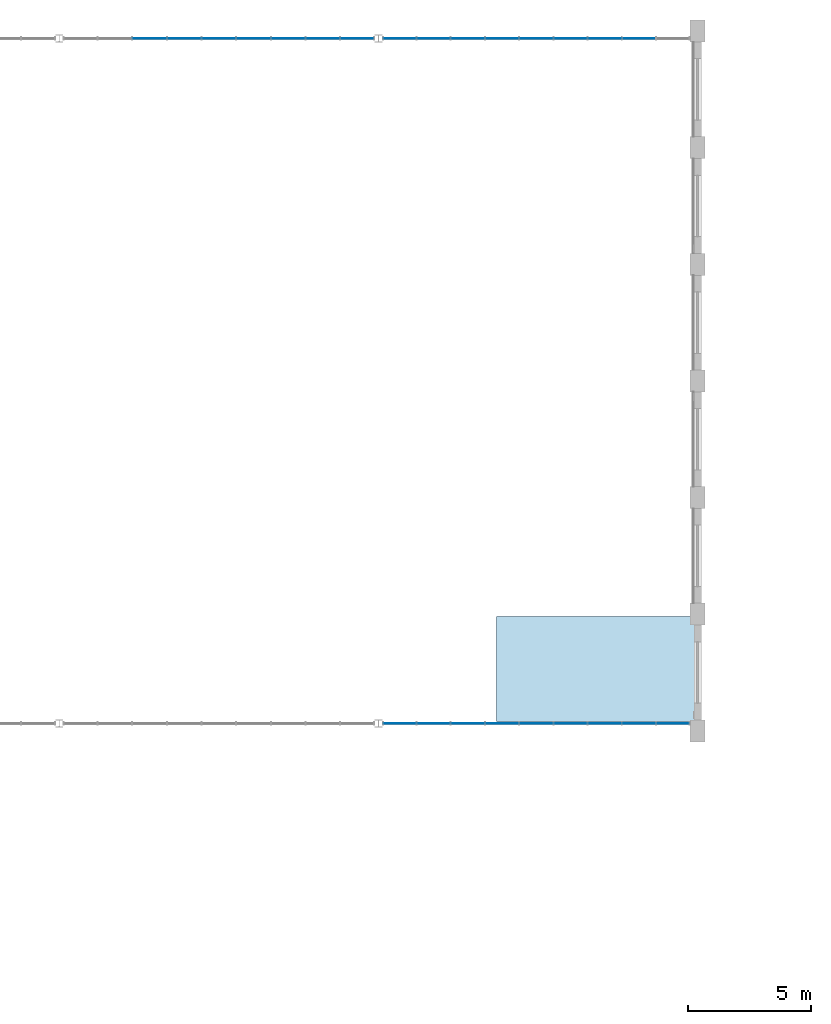
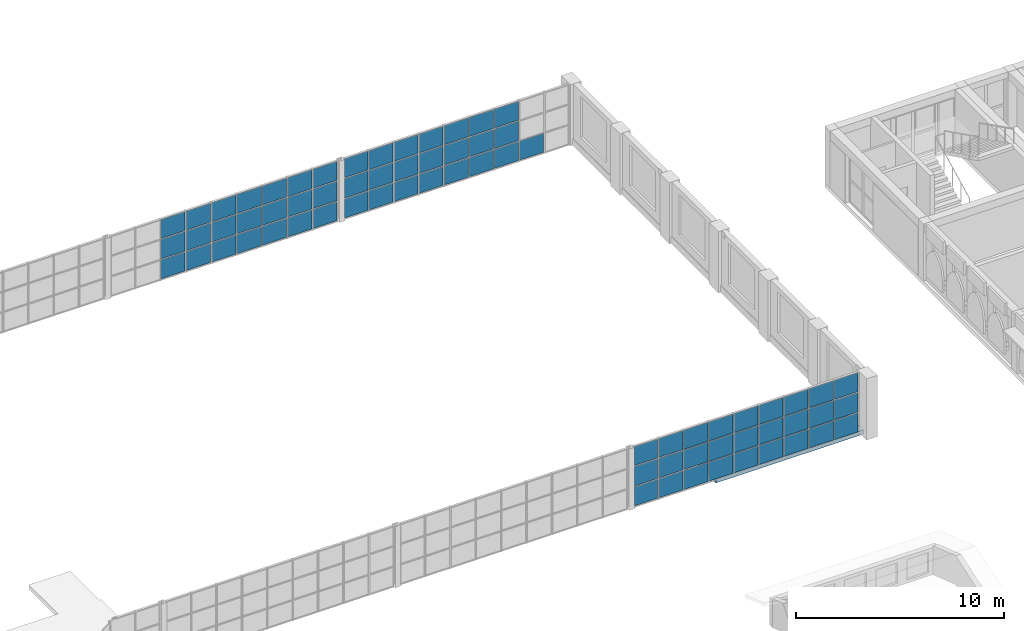
# One storey, part 29 of 70: 70 plates, 1 slab, 3 elements without a shape of their own.
"""IFC4 building model written with IfcOpenShell, lengths in metres."""

from ifc_helpers import new_model, si_unit, direction, frame, origin, origin_2d, place, context, subcontext, project, spatial, polyline, rectangle, outline, extrude, material, layer, layer_set, type_object, element, aggregate, save


model = new_model("IFC4")

# Units and contexts
model_context = context("Model", 3, precision=1e-05, world=origin(), true_north=direction((0.0, 1.0)))
body_context = subcontext(model_context, "Body", "Model", "MODEL_VIEW")
ifc_project = project(units=[si_unit("LENGTHUNIT", "METRE"), si_unit("AREAUNIT", "SQUARE_METRE"), si_unit("VOLUMEUNIT", "CUBIC_METRE"), si_unit("PLANEANGLEUNIT", "RADIAN"), si_unit("MASSUNIT", "GRAM", prefix="KILO")], contexts=[model_context])

# Site, building, storey
site_placement = place(None, origin())
site = spatial("IfcSite", under=ifc_project, at=site_placement, CompositionType="ELEMENT")
building_placement = place(site_placement, origin())
building = spatial("IfcBuilding", under=site, at=building_placement, Name="Elbe Cascade School", CompositionType="ELEMENT")
storey_placement = place(building_placement, frame((0.0, 0.0, 8.10009765625)))
storey = spatial("IfcBuildingStorey", under=building, at=storey_placement, Name="L02", CompositionType="ELEMENT", Elevation=8.10009765625)

# Slab
ifc_material_1 = material(Name="Concrete C30/37", Category="concrete")
ifc_layer_1 = layer(ifc_material_1, 0.25)
ifc_layer_set_1 = layer_set([ifc_layer_1], Name="Concrete C30/37")
slab_type = type_object("IfcSlabType", Name="Hall block roof slab Concrete C30/37", PredefinedType="ROOF", material=ifc_layer_set_1)
slab_placement = place(storey_placement, frame((0.0, 0.0, -0.25)))
element("IfcSlab", 1, at=slab_placement, inside=storey, type_object=slab_type, Name="Stair and lobby roof slab", PredefinedType="ROOF", context=body_context, shape_type="SweptSolid", body=[
    extrude(outline(polyline([(60.0, 41.375), (60.0, 45.64990234375), (51.800048828125, 45.64990234375), (51.800048828125, 41.375), (60.0, 41.375)])), origin(), (0.0, 0.0, 1.0), 0.25),
])

# Curtain wall, plates
ifc_material_2 = material(Name="Glass - double glazed low-E", Category="glass")
curtain_wall_type = type_object("IfcCurtainWallType", Name="Hall gable curtain wall", PredefinedType="NOTDEFINED", material=ifc_material_2)
curtain_wall_1_placement = place(storey_placement, origin())
curtain_wall_1 = element("IfcCurtainWall", 2, at=curtain_wall_1_placement, inside=storey, type_object=curtain_wall_type, Name="Gable curtain wall S4", PredefinedType="NOTDEFINED")
ifc_material_3 = material(Name="Glass - double glazed low-E", Category="glass")
ifc_layer_2 = layer(ifc_material_3, 0.028076171875)
ifc_layer_set_2 = layer_set([ifc_layer_2], Name="Glass - double glazed low-E")
plate_type = type_object("IfcPlateType", Name="Hall gable glass panel", PredefinedType="CURTAIN_PANEL", material=ifc_layer_set_2)
plate_1_placement = place(storey_placement, frame((47.8623046875, 41.300048828125, 0.06005859375), z_axis=(0.0, 0.0, 1.0), x_axis=(1.0, 0.0, 0.0)))
plate_1 = element("IfcPlate", 3, at=plate_1_placement, type_object=plate_type, Name="CW6 panel 1.1", PredefinedType="CURTAIN_PANEL", context=body_context, shape_type="SweptSolid", body=[
    extrude(rectangle(XDim=1.304443359375, YDim=0.028076171875, at=origin_2d()), origin(), (0.0, 0.0, 1.0), 1.110107421875),
])
plate_2_placement = place(storey_placement, frame((47.8623046875, 41.300048828125, 1.22998046875), z_axis=(0.0, 0.0, 1.0), x_axis=(1.0, 0.0, 0.0)))
plate_2 = element("IfcPlate", 4, at=plate_2_placement, type_object=plate_type, Name="CW6 panel 1.2", PredefinedType="CURTAIN_PANEL", context=body_context, shape_type="SweptSolid", body=[
    extrude(rectangle(XDim=1.304443359375, YDim=0.028076171875, at=origin_2d()), origin(), (0.0, 0.0, 1.0), 1.139892578125),
])
plate_3_placement = place(storey_placement, frame((47.8623046875, 41.300048828125, 2.4296875), z_axis=(0.0, 0.0, 1.0), x_axis=(1.0, 0.0, 0.0)))
plate_3 = element("IfcPlate", 5, at=plate_3_placement, type_object=plate_type, Name="CW6 panel 1.3", PredefinedType="CURTAIN_PANEL", context=body_context, shape_type="SweptSolid", body=[
    extrude(rectangle(XDim=1.304443359375, YDim=0.028076171875, at=origin_2d()), origin(), (0.0, 0.0, 1.0), 1.110107421875),
])
plate_4_placement = place(storey_placement, frame((49.24169921875, 41.300048828125, 0.06005859375), z_axis=(0.0, 0.0, 1.0), x_axis=(1.0, 0.0, 0.0)))
plate_4 = element("IfcPlate", 6, at=plate_4_placement, type_object=plate_type, Name="CW6 panel 2.1", PredefinedType="CURTAIN_PANEL", context=body_context, shape_type="SweptSolid", body=[
    extrude(rectangle(XDim=1.33447265625, YDim=0.028076171875, at=origin_2d()), origin(), (0.0, 0.0, 1.0), 1.110107421875),
])
plate_5_placement = place(storey_placement, frame((49.24169921875, 41.300048828125, 1.22998046875), z_axis=(0.0, 0.0, 1.0), x_axis=(1.0, 0.0, 0.0)))
plate_5 = element("IfcPlate", 7, at=plate_5_placement, type_object=plate_type, Name="CW6 panel 2.2", PredefinedType="CURTAIN_PANEL", context=body_context, shape_type="SweptSolid", body=[
    extrude(rectangle(XDim=1.33447265625, YDim=0.028076171875, at=origin_2d()), origin(), (0.0, 0.0, 1.0), 1.139892578125),
])
plate_6_placement = place(storey_placement, frame((49.24169921875, 41.300048828125, 2.4296875), z_axis=(0.0, 0.0, 1.0), x_axis=(1.0, 0.0, 0.0)))
plate_6 = element("IfcPlate", 8, at=plate_6_placement, type_object=plate_type, Name="CW6 panel 2.3", PredefinedType="CURTAIN_PANEL", context=body_context, shape_type="SweptSolid", body=[
    extrude(rectangle(XDim=1.33447265625, YDim=0.028076171875, at=origin_2d()), origin(), (0.0, 0.0, 1.0), 1.110107421875),
])
plate_7_placement = place(storey_placement, frame((50.63623046875, 41.300048828125, 0.06005859375), z_axis=(0.0, 0.0, 1.0), x_axis=(1.0, 0.0, 0.0)))
plate_7 = element("IfcPlate", 9, at=plate_7_placement, type_object=plate_type, Name="CW6 panel 3.1", PredefinedType="CURTAIN_PANEL", context=body_context, shape_type="SweptSolid", body=[
    extrude(rectangle(XDim=1.33447265625, YDim=0.028076171875, at=origin_2d()), origin(), (0.0, 0.0, 1.0), 1.110107421875),
])
plate_8_placement = place(storey_placement, frame((50.63623046875, 41.300048828125, 1.22998046875), z_axis=(0.0, 0.0, 1.0), x_axis=(1.0, 0.0, 0.0)))
plate_8 = element("IfcPlate", 10, at=plate_8_placement, type_object=plate_type, Name="CW6 panel 3.2", PredefinedType="CURTAIN_PANEL", context=body_context, shape_type="SweptSolid", body=[
    extrude(rectangle(XDim=1.33447265625, YDim=0.028076171875, at=origin_2d()), origin(), (0.0, 0.0, 1.0), 1.139892578125),
])
plate_9_placement = place(storey_placement, frame((50.63623046875, 41.300048828125, 2.4296875), z_axis=(0.0, 0.0, 1.0), x_axis=(1.0, 0.0, 0.0)))
plate_9 = element("IfcPlate", 11, at=plate_9_placement, type_object=plate_type, Name="CW6 panel 3.3", PredefinedType="CURTAIN_PANEL", context=body_context, shape_type="SweptSolid", body=[
    extrude(rectangle(XDim=1.33447265625, YDim=0.028076171875, at=origin_2d()), origin(), (0.0, 0.0, 1.0), 1.110107421875),
])
plate_10_placement = place(storey_placement, frame((52.030517578125, 41.300048828125, 0.06005859375), z_axis=(0.0, 0.0, 1.0), x_axis=(1.0, 0.0, 0.0)))
plate_10 = element("IfcPlate", 12, at=plate_10_placement, type_object=plate_type, Name="CW6 panel 4.1", PredefinedType="CURTAIN_PANEL", context=body_context, shape_type="SweptSolid", body=[
    extrude(rectangle(XDim=1.33447265625, YDim=0.028076171875, at=origin_2d()), origin(), (0.0, 0.0, 1.0), 1.110107421875),
])
plate_11_placement = place(storey_placement, frame((52.030517578125, 41.300048828125, 1.22998046875), z_axis=(0.0, 0.0, 1.0), x_axis=(1.0, 0.0, 0.0)))
plate_11 = element("IfcPlate", 13, at=plate_11_placement, type_object=plate_type, Name="CW6 panel 4.2", PredefinedType="CURTAIN_PANEL", context=body_context, shape_type="SweptSolid", body=[
    extrude(rectangle(XDim=1.33447265625, YDim=0.028076171875, at=origin_2d()), origin(), (0.0, 0.0, 1.0), 1.139892578125),
])
plate_12_placement = place(storey_placement, frame((52.030517578125, 41.300048828125, 2.4296875), z_axis=(0.0, 0.0, 1.0), x_axis=(1.0, 0.0, 0.0)))
plate_12 = element("IfcPlate", 14, at=plate_12_placement, type_object=plate_type, Name="CW6 panel 4.3", PredefinedType="CURTAIN_PANEL", context=body_context, shape_type="SweptSolid", body=[
    extrude(rectangle(XDim=1.33447265625, YDim=0.028076171875, at=origin_2d()), origin(), (0.0, 0.0, 1.0), 1.110107421875),
])
plate_13_placement = place(storey_placement, frame((53.425048828125, 41.300048828125, 0.06005859375), z_axis=(0.0, 0.0, 1.0), x_axis=(1.0, 0.0, 0.0)))
plate_13 = element("IfcPlate", 15, at=plate_13_placement, type_object=plate_type, Name="CW6 panel 5.1", PredefinedType="CURTAIN_PANEL", context=body_context, shape_type="SweptSolid", body=[
    extrude(rectangle(XDim=1.33447265625, YDim=0.028076171875, at=origin_2d()), origin(), (0.0, 0.0, 1.0), 1.110107421875),
])
plate_14_placement = place(storey_placement, frame((53.425048828125, 41.300048828125, 1.22998046875), z_axis=(0.0, 0.0, 1.0), x_axis=(1.0, 0.0, 0.0)))
plate_14 = element("IfcPlate", 16, at=plate_14_placement, type_object=plate_type, Name="CW6 panel 5.2", PredefinedType="CURTAIN_PANEL", context=body_context, shape_type="SweptSolid", body=[
    extrude(rectangle(XDim=1.33447265625, YDim=0.028076171875, at=origin_2d()), origin(), (0.0, 0.0, 1.0), 1.139892578125),
])
plate_15_placement = place(storey_placement, frame((53.425048828125, 41.300048828125, 2.4296875), z_axis=(0.0, 0.0, 1.0), x_axis=(1.0, 0.0, 0.0)))
plate_15 = element("IfcPlate", 17, at=plate_15_placement, type_object=plate_type, Name="CW6 panel 5.3", PredefinedType="CURTAIN_PANEL", context=body_context, shape_type="SweptSolid", body=[
    extrude(rectangle(XDim=1.33447265625, YDim=0.028076171875, at=origin_2d()), origin(), (0.0, 0.0, 1.0), 1.110107421875),
])
plate_16_placement = place(storey_placement, frame((54.8193359375, 41.300048828125, 0.06005859375), z_axis=(0.0, 0.0, 1.0), x_axis=(1.0, 0.0, 0.0)))
plate_16 = element("IfcPlate", 18, at=plate_16_placement, type_object=plate_type, Name="CW6 panel 6.1", PredefinedType="CURTAIN_PANEL", context=body_context, shape_type="SweptSolid", body=[
    extrude(rectangle(XDim=1.33447265625, YDim=0.028076171875, at=origin_2d()), origin(), (0.0, 0.0, 1.0), 1.110107421875),
])
plate_17_placement = place(storey_placement, frame((54.8193359375, 41.300048828125, 1.22998046875), z_axis=(0.0, 0.0, 1.0), x_axis=(1.0, 0.0, 0.0)))
plate_17 = element("IfcPlate", 19, at=plate_17_placement, type_object=plate_type, Name="CW6 panel 6.2", PredefinedType="CURTAIN_PANEL", context=body_context, shape_type="SweptSolid", body=[
    extrude(rectangle(XDim=1.33447265625, YDim=0.028076171875, at=origin_2d()), origin(), (0.0, 0.0, 1.0), 1.139892578125),
])
plate_18_placement = place(storey_placement, frame((54.8193359375, 41.300048828125, 2.4296875), z_axis=(0.0, 0.0, 1.0), x_axis=(1.0, 0.0, 0.0)))
plate_18 = element("IfcPlate", 20, at=plate_18_placement, type_object=plate_type, Name="CW6 panel 6.3", PredefinedType="CURTAIN_PANEL", context=body_context, shape_type="SweptSolid", body=[
    extrude(rectangle(XDim=1.33447265625, YDim=0.028076171875, at=origin_2d()), origin(), (0.0, 0.0, 1.0), 1.110107421875),
])
plate_19_placement = place(storey_placement, frame((56.2138671875, 41.300048828125, 0.06005859375), z_axis=(0.0, 0.0, 1.0), x_axis=(1.0, 0.0, 0.0)))
plate_19 = element("IfcPlate", 21, at=plate_19_placement, type_object=plate_type, Name="CW6 panel 7.1", PredefinedType="CURTAIN_PANEL", context=body_context, shape_type="SweptSolid", body=[
    extrude(rectangle(XDim=1.33447265625, YDim=0.028076171875, at=origin_2d()), origin(), (0.0, 0.0, 1.0), 1.110107421875),
])
plate_20_placement = place(storey_placement, frame((56.2138671875, 41.300048828125, 1.22998046875), z_axis=(0.0, 0.0, 1.0), x_axis=(1.0, 0.0, 0.0)))
plate_20 = element("IfcPlate", 22, at=plate_20_placement, type_object=plate_type, Name="CW6 panel 7.2", PredefinedType="CURTAIN_PANEL", context=body_context, shape_type="SweptSolid", body=[
    extrude(rectangle(XDim=1.33447265625, YDim=0.028076171875, at=origin_2d()), origin(), (0.0, 0.0, 1.0), 1.139892578125),
])
plate_21_placement = place(storey_placement, frame((56.2138671875, 41.300048828125, 2.4296875), z_axis=(0.0, 0.0, 1.0), x_axis=(1.0, 0.0, 0.0)))
plate_21 = element("IfcPlate", 23, at=plate_21_placement, type_object=plate_type, Name="CW6 panel 7.3", PredefinedType="CURTAIN_PANEL", context=body_context, shape_type="SweptSolid", body=[
    extrude(rectangle(XDim=1.33447265625, YDim=0.028076171875, at=origin_2d()), origin(), (0.0, 0.0, 1.0), 1.110107421875),
])
plate_22_placement = place(storey_placement, frame((57.6083984375, 41.300048828125, 0.06005859375), z_axis=(0.0, 0.0, 1.0), x_axis=(1.0, 0.0, 0.0)))
plate_22 = element("IfcPlate", 24, at=plate_22_placement, type_object=plate_type, Name="CW6 panel 8.1", PredefinedType="CURTAIN_PANEL", context=body_context, shape_type="SweptSolid", body=[
    extrude(rectangle(XDim=1.33447265625, YDim=0.028076171875, at=origin_2d()), origin(), (0.0, 0.0, 1.0), 1.110107421875),
])
plate_23_placement = place(storey_placement, frame((57.6083984375, 41.300048828125, 1.22998046875), z_axis=(0.0, 0.0, 1.0), x_axis=(1.0, 0.0, 0.0)))
plate_23 = element("IfcPlate", 25, at=plate_23_placement, type_object=plate_type, Name="CW6 panel 8.2", PredefinedType="CURTAIN_PANEL", context=body_context, shape_type="SweptSolid", body=[
    extrude(rectangle(XDim=1.33447265625, YDim=0.028076171875, at=origin_2d()), origin(), (0.0, 0.0, 1.0), 1.139892578125),
])
plate_24_placement = place(storey_placement, frame((57.6083984375, 41.300048828125, 2.4296875), z_axis=(0.0, 0.0, 1.0), x_axis=(1.0, 0.0, 0.0)))
plate_24 = element("IfcPlate", 26, at=plate_24_placement, type_object=plate_type, Name="CW6 panel 8.3", PredefinedType="CURTAIN_PANEL", context=body_context, shape_type="SweptSolid", body=[
    extrude(rectangle(XDim=1.33447265625, YDim=0.028076171875, at=origin_2d()), origin(), (0.0, 0.0, 1.0), 1.110107421875),
])
plate_25_placement = place(storey_placement, frame((58.98779296875, 41.300048828125, 0.06005859375), z_axis=(0.0, 0.0, 1.0), x_axis=(1.0, 0.0, 0.0)))
plate_25 = element("IfcPlate", 27, at=plate_25_placement, type_object=plate_type, Name="CW6 panel 9.1", PredefinedType="CURTAIN_PANEL", context=body_context, shape_type="SweptSolid", body=[
    extrude(rectangle(XDim=1.304443359375, YDim=0.028076171875, at=origin_2d()), origin(), (0.0, 0.0, 1.0), 1.110107421875),
])
plate_26_placement = place(storey_placement, frame((58.98779296875, 41.300048828125, 1.22998046875), z_axis=(0.0, 0.0, 1.0), x_axis=(1.0, 0.0, 0.0)))
plate_26 = element("IfcPlate", 28, at=plate_26_placement, type_object=plate_type, Name="CW6 panel 9.2", PredefinedType="CURTAIN_PANEL", context=body_context, shape_type="SweptSolid", body=[
    extrude(rectangle(XDim=1.304443359375, YDim=0.028076171875, at=origin_2d()), origin(), (0.0, 0.0, 1.0), 1.139892578125),
])
plate_27_placement = place(storey_placement, frame((58.98779296875, 41.300048828125, 2.4296875), z_axis=(0.0, 0.0, 1.0), x_axis=(1.0, 0.0, 0.0)))
plate_27 = element("IfcPlate", 29, at=plate_27_placement, type_object=plate_type, Name="CW6 panel 9.3", PredefinedType="CURTAIN_PANEL", context=body_context, shape_type="SweptSolid", body=[
    extrude(rectangle(XDim=1.304443359375, YDim=0.028076171875, at=origin_2d()), origin(), (0.0, 0.0, 1.0), 1.110107421875),
])
aggregate(curtain_wall_1, [plate_1, plate_2, plate_3, plate_4, plate_5, plate_6, plate_7, plate_8, plate_9, plate_10, plate_11, plate_12, plate_13, plate_14, plate_15, plate_16, plate_17, plate_18, plate_19, plate_20, plate_21, plate_22, plate_23, plate_24, plate_25, plate_26, plate_27])

curtain_wall_2_placement = place(storey_placement, origin())
curtain_wall_2 = element("IfcCurtainWall", 30, at=curtain_wall_2_placement, inside=storey, type_object=curtain_wall_type, Name="Gable curtain wall N3", PredefinedType="NOTDEFINED")
plate_28_placement = place(storey_placement, frame((37.677734375, 69.199951171875, 0.06005859375), z_axis=(0.0, 0.0, 1.0), x_axis=(1.0, 0.0, 0.0)))
plate_28 = element("IfcPlate", 31, at=plate_28_placement, type_object=plate_type, Name="CW6 panel 3.1", PredefinedType="CURTAIN_PANEL", context=body_context, shape_type="SweptSolid", body=[
    extrude(rectangle(XDim=1.35107421875, YDim=0.028076171875, at=origin_2d()), origin(), (0.0, 0.0, 1.0), 1.110107421875),
])
plate_29_placement = place(storey_placement, frame((37.677734375, 69.199951171875, 1.22998046875), z_axis=(0.0, 0.0, 1.0), x_axis=(1.0, 0.0, 0.0)))
plate_29 = element("IfcPlate", 32, at=plate_29_placement, type_object=plate_type, Name="CW6 panel 3.2", PredefinedType="CURTAIN_PANEL", context=body_context, shape_type="SweptSolid", body=[
    extrude(rectangle(XDim=1.35107421875, YDim=0.028076171875, at=origin_2d()), origin(), (0.0, 0.0, 1.0), 1.139892578125),
])
plate_30_placement = place(storey_placement, frame((37.677734375, 69.199951171875, 2.4296875), z_axis=(0.0, 0.0, 1.0), x_axis=(1.0, 0.0, 0.0)))
plate_30 = element("IfcPlate", 33, at=plate_30_placement, type_object=plate_type, Name="CW6 panel 3.3", PredefinedType="CURTAIN_PANEL", context=body_context, shape_type="SweptSolid", body=[
    extrude(rectangle(XDim=1.35107421875, YDim=0.028076171875, at=origin_2d()), origin(), (0.0, 0.0, 1.0), 1.110107421875),
])
plate_31_placement = place(storey_placement, frame((39.0888671875, 69.199951171875, 0.06005859375), z_axis=(0.0, 0.0, 1.0), x_axis=(1.0, 0.0, 0.0)))
plate_31 = element("IfcPlate", 34, at=plate_31_placement, type_object=plate_type, Name="CW6 panel 4.1", PredefinedType="CURTAIN_PANEL", context=body_context, shape_type="SweptSolid", body=[
    extrude(rectangle(XDim=1.35107421875, YDim=0.028076171875, at=origin_2d()), origin(), (0.0, 0.0, 1.0), 1.110107421875),
])
plate_32_placement = place(storey_placement, frame((39.0888671875, 69.199951171875, 1.22998046875), z_axis=(0.0, 0.0, 1.0), x_axis=(1.0, 0.0, 0.0)))
plate_32 = element("IfcPlate", 35, at=plate_32_placement, type_object=plate_type, Name="CW6 panel 4.2", PredefinedType="CURTAIN_PANEL", context=body_context, shape_type="SweptSolid", body=[
    extrude(rectangle(XDim=1.35107421875, YDim=0.028076171875, at=origin_2d()), origin(), (0.0, 0.0, 1.0), 1.139892578125),
])
plate_33_placement = place(storey_placement, frame((39.0888671875, 69.199951171875, 2.4296875), z_axis=(0.0, 0.0, 1.0), x_axis=(1.0, 0.0, 0.0)))
plate_33 = element("IfcPlate", 36, at=plate_33_placement, type_object=plate_type, Name="CW6 panel 4.3", PredefinedType="CURTAIN_PANEL", context=body_context, shape_type="SweptSolid", body=[
    extrude(rectangle(XDim=1.35107421875, YDim=0.028076171875, at=origin_2d()), origin(), (0.0, 0.0, 1.0), 1.110107421875),
])
plate_34_placement = place(storey_placement, frame((40.5, 69.199951171875, 0.06005859375), z_axis=(0.0, 0.0, 1.0), x_axis=(1.0, 0.0, 0.0)))
plate_34 = element("IfcPlate", 37, at=plate_34_placement, type_object=plate_type, Name="CW6 panel 5.1", PredefinedType="CURTAIN_PANEL", context=body_context, shape_type="SweptSolid", body=[
    extrude(rectangle(XDim=1.35107421875, YDim=0.028076171875, at=origin_2d()), origin(), (0.0, 0.0, 1.0), 1.110107421875),
])
plate_35_placement = place(storey_placement, frame((40.5, 69.199951171875, 1.22998046875), z_axis=(0.0, 0.0, 1.0), x_axis=(1.0, 0.0, 0.0)))
plate_35 = element("IfcPlate", 38, at=plate_35_placement, type_object=plate_type, Name="CW6 panel 5.2", PredefinedType="CURTAIN_PANEL", context=body_context, shape_type="SweptSolid", body=[
    extrude(rectangle(XDim=1.35107421875, YDim=0.028076171875, at=origin_2d()), origin(), (0.0, 0.0, 1.0), 1.139892578125),
])
plate_36_placement = place(storey_placement, frame((40.5, 69.199951171875, 2.4296875), z_axis=(0.0, 0.0, 1.0), x_axis=(1.0, 0.0, 0.0)))
plate_36 = element("IfcPlate", 39, at=plate_36_placement, type_object=plate_type, Name="CW6 panel 5.3", PredefinedType="CURTAIN_PANEL", context=body_context, shape_type="SweptSolid", body=[
    extrude(rectangle(XDim=1.35107421875, YDim=0.028076171875, at=origin_2d()), origin(), (0.0, 0.0, 1.0), 1.110107421875),
])
plate_37_placement = place(storey_placement, frame((41.9111328125, 69.199951171875, 0.06005859375), z_axis=(0.0, 0.0, 1.0), x_axis=(1.0, 0.0, 0.0)))
plate_37 = element("IfcPlate", 40, at=plate_37_placement, type_object=plate_type, Name="CW6 panel 6.1", PredefinedType="CURTAIN_PANEL", context=body_context, shape_type="SweptSolid", body=[
    extrude(rectangle(XDim=1.35107421875, YDim=0.028076171875, at=origin_2d()), origin(), (0.0, 0.0, 1.0), 1.110107421875),
])
plate_38_placement = place(storey_placement, frame((41.9111328125, 69.199951171875, 1.22998046875), z_axis=(0.0, 0.0, 1.0), x_axis=(1.0, 0.0, 0.0)))
plate_38 = element("IfcPlate", 41, at=plate_38_placement, type_object=plate_type, Name="CW6 panel 6.2", PredefinedType="CURTAIN_PANEL", context=body_context, shape_type="SweptSolid", body=[
    extrude(rectangle(XDim=1.35107421875, YDim=0.028076171875, at=origin_2d()), origin(), (0.0, 0.0, 1.0), 1.139892578125),
])
plate_39_placement = place(storey_placement, frame((41.9111328125, 69.199951171875, 2.4296875), z_axis=(0.0, 0.0, 1.0), x_axis=(1.0, 0.0, 0.0)))
plate_39 = element("IfcPlate", 42, at=plate_39_placement, type_object=plate_type, Name="CW6 panel 6.3", PredefinedType="CURTAIN_PANEL", context=body_context, shape_type="SweptSolid", body=[
    extrude(rectangle(XDim=1.35107421875, YDim=0.028076171875, at=origin_2d()), origin(), (0.0, 0.0, 1.0), 1.110107421875),
])
plate_40_placement = place(storey_placement, frame((43.322265625, 69.199951171875, 0.06005859375), z_axis=(0.0, 0.0, 1.0), x_axis=(1.0, 0.0, 0.0)))
plate_40 = element("IfcPlate", 43, at=plate_40_placement, type_object=plate_type, Name="CW6 panel 7.1", PredefinedType="CURTAIN_PANEL", context=body_context, shape_type="SweptSolid", body=[
    extrude(rectangle(XDim=1.35107421875, YDim=0.028076171875, at=origin_2d()), origin(), (0.0, 0.0, 1.0), 1.110107421875),
])
plate_41_placement = place(storey_placement, frame((43.322265625, 69.199951171875, 1.22998046875), z_axis=(0.0, 0.0, 1.0), x_axis=(1.0, 0.0, 0.0)))
plate_41 = element("IfcPlate", 44, at=plate_41_placement, type_object=plate_type, Name="CW6 panel 7.2", PredefinedType="CURTAIN_PANEL", context=body_context, shape_type="SweptSolid", body=[
    extrude(rectangle(XDim=1.35107421875, YDim=0.028076171875, at=origin_2d()), origin(), (0.0, 0.0, 1.0), 1.139892578125),
])
plate_42_placement = place(storey_placement, frame((43.322265625, 69.199951171875, 2.4296875), z_axis=(0.0, 0.0, 1.0), x_axis=(1.0, 0.0, 0.0)))
plate_42 = element("IfcPlate", 45, at=plate_42_placement, type_object=plate_type, Name="CW6 panel 7.3", PredefinedType="CURTAIN_PANEL", context=body_context, shape_type="SweptSolid", body=[
    extrude(rectangle(XDim=1.35107421875, YDim=0.028076171875, at=origin_2d()), origin(), (0.0, 0.0, 1.0), 1.110107421875),
])
plate_43_placement = place(storey_placement, frame((44.7333984375, 69.199951171875, 0.06005859375), z_axis=(0.0, 0.0, 1.0), x_axis=(1.0, 0.0, 0.0)))
plate_43 = element("IfcPlate", 46, at=plate_43_placement, type_object=plate_type, Name="CW6 panel 8.1", PredefinedType="CURTAIN_PANEL", context=body_context, shape_type="SweptSolid", body=[
    extrude(rectangle(XDim=1.35107421875, YDim=0.028076171875, at=origin_2d()), origin(), (0.0, 0.0, 1.0), 1.110107421875),
])
plate_44_placement = place(storey_placement, frame((44.7333984375, 69.199951171875, 1.22998046875), z_axis=(0.0, 0.0, 1.0), x_axis=(1.0, 0.0, 0.0)))
plate_44 = element("IfcPlate", 47, at=plate_44_placement, type_object=plate_type, Name="CW6 panel 8.2", PredefinedType="CURTAIN_PANEL", context=body_context, shape_type="SweptSolid", body=[
    extrude(rectangle(XDim=1.35107421875, YDim=0.028076171875, at=origin_2d()), origin(), (0.0, 0.0, 1.0), 1.139892578125),
])
plate_45_placement = place(storey_placement, frame((44.7333984375, 69.199951171875, 2.4296875), z_axis=(0.0, 0.0, 1.0), x_axis=(1.0, 0.0, 0.0)))
plate_45 = element("IfcPlate", 48, at=plate_45_placement, type_object=plate_type, Name="CW6 panel 8.3", PredefinedType="CURTAIN_PANEL", context=body_context, shape_type="SweptSolid", body=[
    extrude(rectangle(XDim=1.35107421875, YDim=0.028076171875, at=origin_2d()), origin(), (0.0, 0.0, 1.0), 1.110107421875),
])
plate_46_placement = place(storey_placement, frame((46.12939453125, 69.199951171875, 0.06005859375), z_axis=(0.0, 0.0, 1.0), x_axis=(1.0, 0.0, 0.0)))
plate_46 = element("IfcPlate", 49, at=plate_46_placement, type_object=plate_type, Name="CW6 panel 9.1", PredefinedType="CURTAIN_PANEL", context=body_context, shape_type="SweptSolid", body=[
    extrude(rectangle(XDim=1.321044921875, YDim=0.028076171875, at=origin_2d()), origin(), (0.0, 0.0, 1.0), 1.110107421875),
])
plate_47_placement = place(storey_placement, frame((46.12939453125, 69.199951171875, 1.22998046875), z_axis=(0.0, 0.0, 1.0), x_axis=(1.0, 0.0, 0.0)))
plate_47 = element("IfcPlate", 50, at=plate_47_placement, type_object=plate_type, Name="CW6 panel 9.2", PredefinedType="CURTAIN_PANEL", context=body_context, shape_type="SweptSolid", body=[
    extrude(rectangle(XDim=1.321044921875, YDim=0.028076171875, at=origin_2d()), origin(), (0.0, 0.0, 1.0), 1.139892578125),
])
plate_48_placement = place(storey_placement, frame((46.12939453125, 69.199951171875, 2.4296875), z_axis=(0.0, 0.0, 1.0), x_axis=(1.0, 0.0, 0.0)))
plate_48 = element("IfcPlate", 51, at=plate_48_placement, type_object=plate_type, Name="CW6 panel 9.3", PredefinedType="CURTAIN_PANEL", context=body_context, shape_type="SweptSolid", body=[
    extrude(rectangle(XDim=1.321044921875, YDim=0.028076171875, at=origin_2d()), origin(), (0.0, 0.0, 1.0), 1.110107421875),
])
aggregate(curtain_wall_2, [plate_28, plate_29, plate_30, plate_31, plate_32, plate_33, plate_34, plate_35, plate_36, plate_37, plate_38, plate_39, plate_40, plate_41, plate_42, plate_43, plate_44, plate_45, plate_46, plate_47, plate_48])

curtain_wall_3_placement = place(storey_placement, origin())
curtain_wall_3 = element("IfcCurtainWall", 52, at=curtain_wall_3_placement, inside=storey, type_object=curtain_wall_type, Name="Gable curtain wall N4", PredefinedType="NOTDEFINED")
plate_49_placement = place(storey_placement, frame((47.8623046875, 69.199951171875, 0.06005859375), z_axis=(0.0, 0.0, 1.0), x_axis=(1.0, 0.0, 0.0)))
plate_49 = element("IfcPlate", 53, at=plate_49_placement, type_object=plate_type, Name="CW6 panel 1.1", PredefinedType="CURTAIN_PANEL", context=body_context, shape_type="SweptSolid", body=[
    extrude(rectangle(XDim=1.304443359375, YDim=0.028076171875, at=origin_2d()), origin(), (0.0, 0.0, 1.0), 1.110107421875),
])
plate_50_placement = place(storey_placement, frame((47.8623046875, 69.199951171875, 1.22998046875), z_axis=(0.0, 0.0, 1.0), x_axis=(1.0, 0.0, 0.0)))
plate_50 = element("IfcPlate", 54, at=plate_50_placement, type_object=plate_type, Name="CW6 panel 1.2", PredefinedType="CURTAIN_PANEL", context=body_context, shape_type="SweptSolid", body=[
    extrude(rectangle(XDim=1.304443359375, YDim=0.028076171875, at=origin_2d()), origin(), (0.0, 0.0, 1.0), 1.139892578125),
])
plate_51_placement = place(storey_placement, frame((47.8623046875, 69.199951171875, 2.4296875), z_axis=(0.0, 0.0, 1.0), x_axis=(1.0, 0.0, 0.0)))
plate_51 = element("IfcPlate", 55, at=plate_51_placement, type_object=plate_type, Name="CW6 panel 1.3", PredefinedType="CURTAIN_PANEL", context=body_context, shape_type="SweptSolid", body=[
    extrude(rectangle(XDim=1.304443359375, YDim=0.028076171875, at=origin_2d()), origin(), (0.0, 0.0, 1.0), 1.110107421875),
])
plate_52_placement = place(storey_placement, frame((49.24169921875, 69.199951171875, 0.06005859375), z_axis=(0.0, 0.0, 1.0), x_axis=(1.0, 0.0, 0.0)))
plate_52 = element("IfcPlate", 56, at=plate_52_placement, type_object=plate_type, Name="CW6 panel 2.1", PredefinedType="CURTAIN_PANEL", context=body_context, shape_type="SweptSolid", body=[
    extrude(rectangle(XDim=1.33447265625, YDim=0.028076171875, at=origin_2d()), origin(), (0.0, 0.0, 1.0), 1.110107421875),
])
plate_53_placement = place(storey_placement, frame((49.24169921875, 69.199951171875, 1.22998046875), z_axis=(0.0, 0.0, 1.0), x_axis=(1.0, 0.0, 0.0)))
plate_53 = element("IfcPlate", 57, at=plate_53_placement, type_object=plate_type, Name="CW6 panel 2.2", PredefinedType="CURTAIN_PANEL", context=body_context, shape_type="SweptSolid", body=[
    extrude(rectangle(XDim=1.33447265625, YDim=0.028076171875, at=origin_2d()), origin(), (0.0, 0.0, 1.0), 1.139892578125),
])
plate_54_placement = place(storey_placement, frame((49.24169921875, 69.199951171875, 2.4296875), z_axis=(0.0, 0.0, 1.0), x_axis=(1.0, 0.0, 0.0)))
plate_54 = element("IfcPlate", 58, at=plate_54_placement, type_object=plate_type, Name="CW6 panel 2.3", PredefinedType="CURTAIN_PANEL", context=body_context, shape_type="SweptSolid", body=[
    extrude(rectangle(XDim=1.33447265625, YDim=0.028076171875, at=origin_2d()), origin(), (0.0, 0.0, 1.0), 1.110107421875),
])
plate_55_placement = place(storey_placement, frame((50.63623046875, 69.199951171875, 0.06005859375), z_axis=(0.0, 0.0, 1.0), x_axis=(1.0, 0.0, 0.0)))
plate_55 = element("IfcPlate", 59, at=plate_55_placement, type_object=plate_type, Name="CW6 panel 3.1", PredefinedType="CURTAIN_PANEL", context=body_context, shape_type="SweptSolid", body=[
    extrude(rectangle(XDim=1.33447265625, YDim=0.028076171875, at=origin_2d()), origin(), (0.0, 0.0, 1.0), 1.110107421875),
])
plate_56_placement = place(storey_placement, frame((50.63623046875, 69.199951171875, 1.22998046875), z_axis=(0.0, 0.0, 1.0), x_axis=(1.0, 0.0, 0.0)))
plate_56 = element("IfcPlate", 60, at=plate_56_placement, type_object=plate_type, Name="CW6 panel 3.2", PredefinedType="CURTAIN_PANEL", context=body_context, shape_type="SweptSolid", body=[
    extrude(rectangle(XDim=1.33447265625, YDim=0.028076171875, at=origin_2d()), origin(), (0.0, 0.0, 1.0), 1.139892578125),
])
plate_57_placement = place(storey_placement, frame((50.63623046875, 69.199951171875, 2.4296875), z_axis=(0.0, 0.0, 1.0), x_axis=(1.0, 0.0, 0.0)))
plate_57 = element("IfcPlate", 61, at=plate_57_placement, type_object=plate_type, Name="CW6 panel 3.3", PredefinedType="CURTAIN_PANEL", context=body_context, shape_type="SweptSolid", body=[
    extrude(rectangle(XDim=1.33447265625, YDim=0.028076171875, at=origin_2d()), origin(), (0.0, 0.0, 1.0), 1.110107421875),
])
plate_58_placement = place(storey_placement, frame((52.030517578125, 69.199951171875, 0.06005859375), z_axis=(0.0, 0.0, 1.0), x_axis=(1.0, 0.0, 0.0)))
plate_58 = element("IfcPlate", 62, at=plate_58_placement, type_object=plate_type, Name="CW6 panel 4.1", PredefinedType="CURTAIN_PANEL", context=body_context, shape_type="SweptSolid", body=[
    extrude(rectangle(XDim=1.33447265625, YDim=0.028076171875, at=origin_2d()), origin(), (0.0, 0.0, 1.0), 1.110107421875),
])
plate_59_placement = place(storey_placement, frame((52.030517578125, 69.199951171875, 1.22998046875), z_axis=(0.0, 0.0, 1.0), x_axis=(1.0, 0.0, 0.0)))
plate_59 = element("IfcPlate", 63, at=plate_59_placement, type_object=plate_type, Name="CW6 panel 4.2", PredefinedType="CURTAIN_PANEL", context=body_context, shape_type="SweptSolid", body=[
    extrude(rectangle(XDim=1.33447265625, YDim=0.028076171875, at=origin_2d()), origin(), (0.0, 0.0, 1.0), 1.139892578125),
])
plate_60_placement = place(storey_placement, frame((52.030517578125, 69.199951171875, 2.4296875), z_axis=(0.0, 0.0, 1.0), x_axis=(1.0, 0.0, 0.0)))
plate_60 = element("IfcPlate", 64, at=plate_60_placement, type_object=plate_type, Name="CW6 panel 4.3", PredefinedType="CURTAIN_PANEL", context=body_context, shape_type="SweptSolid", body=[
    extrude(rectangle(XDim=1.33447265625, YDim=0.028076171875, at=origin_2d()), origin(), (0.0, 0.0, 1.0), 1.110107421875),
])
plate_61_placement = place(storey_placement, frame((53.425048828125, 69.199951171875, 0.06005859375), z_axis=(0.0, 0.0, 1.0), x_axis=(1.0, 0.0, 0.0)))
plate_61 = element("IfcPlate", 65, at=plate_61_placement, type_object=plate_type, Name="CW6 panel 5.1", PredefinedType="CURTAIN_PANEL", context=body_context, shape_type="SweptSolid", body=[
    extrude(rectangle(XDim=1.33447265625, YDim=0.028076171875, at=origin_2d()), origin(), (0.0, 0.0, 1.0), 1.110107421875),
])
plate_62_placement = place(storey_placement, frame((53.425048828125, 69.199951171875, 1.22998046875), z_axis=(0.0, 0.0, 1.0), x_axis=(1.0, 0.0, 0.0)))
plate_62 = element("IfcPlate", 66, at=plate_62_placement, type_object=plate_type, Name="CW6 panel 5.2", PredefinedType="CURTAIN_PANEL", context=body_context, shape_type="SweptSolid", body=[
    extrude(rectangle(XDim=1.33447265625, YDim=0.028076171875, at=origin_2d()), origin(), (0.0, 0.0, 1.0), 1.139892578125),
])
plate_63_placement = place(storey_placement, frame((53.425048828125, 69.199951171875, 2.4296875), z_axis=(0.0, 0.0, 1.0), x_axis=(1.0, 0.0, 0.0)))
plate_63 = element("IfcPlate", 67, at=plate_63_placement, type_object=plate_type, Name="CW6 panel 5.3", PredefinedType="CURTAIN_PANEL", context=body_context, shape_type="SweptSolid", body=[
    extrude(rectangle(XDim=1.33447265625, YDim=0.028076171875, at=origin_2d()), origin(), (0.0, 0.0, 1.0), 1.110107421875),
])
plate_64_placement = place(storey_placement, frame((54.8193359375, 69.199951171875, 0.06005859375), z_axis=(0.0, 0.0, 1.0), x_axis=(1.0, 0.0, 0.0)))
plate_64 = element("IfcPlate", 68, at=plate_64_placement, type_object=plate_type, Name="CW6 panel 6.1", PredefinedType="CURTAIN_PANEL", context=body_context, shape_type="SweptSolid", body=[
    extrude(rectangle(XDim=1.33447265625, YDim=0.028076171875, at=origin_2d()), origin(), (0.0, 0.0, 1.0), 1.110107421875),
])
plate_65_placement = place(storey_placement, frame((54.8193359375, 69.199951171875, 1.22998046875), z_axis=(0.0, 0.0, 1.0), x_axis=(1.0, 0.0, 0.0)))
plate_65 = element("IfcPlate", 69, at=plate_65_placement, type_object=plate_type, Name="CW6 panel 6.2", PredefinedType="CURTAIN_PANEL", context=body_context, shape_type="SweptSolid", body=[
    extrude(rectangle(XDim=1.33447265625, YDim=0.028076171875, at=origin_2d()), origin(), (0.0, 0.0, 1.0), 1.139892578125),
])
plate_66_placement = place(storey_placement, frame((54.8193359375, 69.199951171875, 2.4296875), z_axis=(0.0, 0.0, 1.0), x_axis=(1.0, 0.0, 0.0)))
plate_66 = element("IfcPlate", 70, at=plate_66_placement, type_object=plate_type, Name="CW6 panel 6.3", PredefinedType="CURTAIN_PANEL", context=body_context, shape_type="SweptSolid", body=[
    extrude(rectangle(XDim=1.33447265625, YDim=0.028076171875, at=origin_2d()), origin(), (0.0, 0.0, 1.0), 1.110107421875),
])
plate_67_placement = place(storey_placement, frame((56.2138671875, 69.199951171875, 0.06005859375), z_axis=(0.0, 0.0, 1.0), x_axis=(1.0, 0.0, 0.0)))
plate_67 = element("IfcPlate", 71, at=plate_67_placement, type_object=plate_type, Name="CW6 panel 7.1", PredefinedType="CURTAIN_PANEL", context=body_context, shape_type="SweptSolid", body=[
    extrude(rectangle(XDim=1.33447265625, YDim=0.028076171875, at=origin_2d()), origin(), (0.0, 0.0, 1.0), 1.110107421875),
])
plate_68_placement = place(storey_placement, frame((56.2138671875, 69.199951171875, 1.22998046875), z_axis=(0.0, 0.0, 1.0), x_axis=(1.0, 0.0, 0.0)))
plate_68 = element("IfcPlate", 72, at=plate_68_placement, type_object=plate_type, Name="CW6 panel 7.2", PredefinedType="CURTAIN_PANEL", context=body_context, shape_type="SweptSolid", body=[
    extrude(rectangle(XDim=1.33447265625, YDim=0.028076171875, at=origin_2d()), origin(), (0.0, 0.0, 1.0), 1.139892578125),
])
plate_69_placement = place(storey_placement, frame((56.2138671875, 69.199951171875, 2.4296875), z_axis=(0.0, 0.0, 1.0), x_axis=(1.0, 0.0, 0.0)))
plate_69 = element("IfcPlate", 73, at=plate_69_placement, type_object=plate_type, Name="CW6 panel 7.3", PredefinedType="CURTAIN_PANEL", context=body_context, shape_type="SweptSolid", body=[
    extrude(rectangle(XDim=1.33447265625, YDim=0.028076171875, at=origin_2d()), origin(), (0.0, 0.0, 1.0), 1.110107421875),
])
plate_70_placement = place(storey_placement, frame((57.6083984375, 69.199951171875, 0.06005859375), z_axis=(0.0, 0.0, 1.0), x_axis=(1.0, 0.0, 0.0)))
plate_70 = element("IfcPlate", 74, at=plate_70_placement, type_object=plate_type, Name="CW6 panel 8.1", PredefinedType="CURTAIN_PANEL", context=body_context, shape_type="SweptSolid", body=[
    extrude(rectangle(XDim=1.33447265625, YDim=0.028076171875, at=origin_2d()), origin(), (0.0, 0.0, 1.0), 1.110107421875),
])
aggregate(curtain_wall_3, [plate_49, plate_50, plate_51, plate_52, plate_53, plate_54, plate_55, plate_56, plate_57, plate_58, plate_59, plate_60, plate_61, plate_62, plate_63, plate_64, plate_65, plate_66, plate_67, plate_68, plate_69, plate_70])

save(model, "model.ifc")
